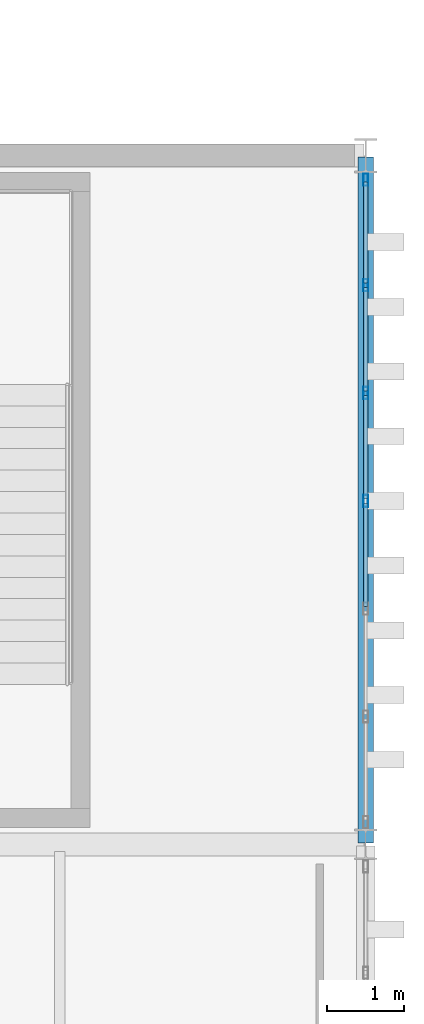
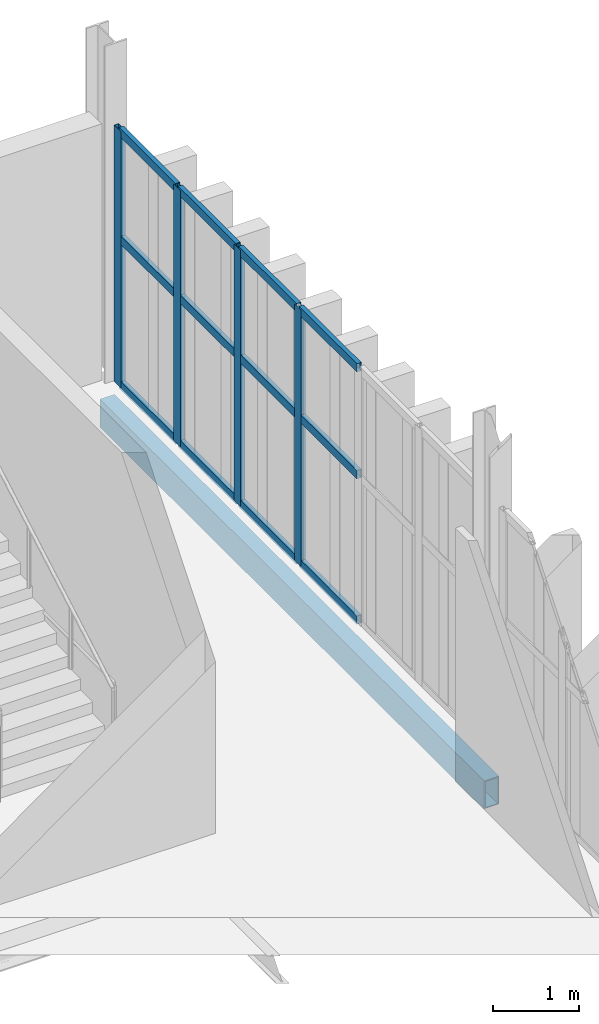
# One storey, part 155 of 196: 16 members, 1 beam, 1 element without a shape of its own.
"""IFC4 building model written with IfcOpenShell, lengths in metres."""

from ifc_helpers import new_model, si_unit, direction, frame, origin, origin_2d, place, context, subcontext, project, spatial, hollow_rectangle, extrude, material, layer, layer_set, material_profile, profile_set, type_object, element, aggregate, save


model = new_model("IFC4")

# Units and contexts
model_context = context("Model", 3, precision=1e-05, world=origin(), true_north=direction((0.0, 1.0)))
body_context = subcontext(model_context, "Body", "Model", "MODEL_VIEW")
ifc_project = project(units=[si_unit("LENGTHUNIT", "METRE"), si_unit("AREAUNIT", "SQUARE_METRE"), si_unit("VOLUMEUNIT", "CUBIC_METRE"), si_unit("PLANEANGLEUNIT", "RADIAN"), si_unit("MASSUNIT", "GRAM", prefix="KILO")], contexts=[model_context])

# Site, building, storey
site_placement = place(None, origin())
site = spatial("IfcSite", under=ifc_project, at=site_placement, CompositionType="ELEMENT")
building_placement = place(site_placement, origin())
building = spatial("IfcBuilding", under=site, at=building_placement, Name="Barlavento Convention Centre", CompositionType="ELEMENT")
storey_placement = place(building_placement, frame((0.0, 0.0, 18.0)))
storey = spatial("IfcBuildingStorey", under=building, at=storey_placement, Name="L03", CompositionType="ELEMENT", Elevation=18.0)

# Curtain wall, members
ifc_material_1 = material(Name="Powder-coated aluminium and Low-E glass", Category="aluminium")
ifc_layer = layer(ifc_material_1, 0.179931640625)
ifc_layer_set = layer_set([ifc_layer], Name="ARC-CW-CONF-L03")
curtain_wall_type = type_object("IfcCurtainWallType", Name="ARC-CW-CONF-L03", PredefinedType="NOTDEFINED", material=ifc_layer_set)
curtain_wall_placement = place(storey_placement, origin())
curtain_wall = element("IfcCurtainWall", 1, at=curtain_wall_placement, inside=storey, type_object=curtain_wall_type, Name="L03 unitised curtain wall CW08", PredefinedType="NOTDEFINED")
ifc_material_2 = material(Name="Powder-coated aluminium", Category="aluminium")
ifc_material_profile_1 = material_profile(ifc_material_2, hollow_rectangle(XDim=0.06005859375, YDim=0.159912109375, WallThickness=0.00390625, at=origin_2d()), Name="AL-MULL 60x160x4")
ifc_profile_set_1 = profile_set([ifc_material_profile_1], Name="Powder-coated aluminium")
member_type_1 = type_object("IfcMemberType", Name="ARC-CWM-60X160", PredefinedType="MULLION", material=ifc_profile_set_1)
member_1_placement = place(storey_placement, frame((192.0, 94.487548828125, 0.0), z_axis=(0.0, 0.0, 1.0), x_axis=(-1.0, 0.0, 0.0)))
member_1 = element("IfcMember", 2, at=member_1_placement, type_object=member_type_1, Name="CW08 mullion 4", PredefinedType="MULLION", context=body_context, shape_type="SweptSolid", body=[
    extrude(hollow_rectangle(XDim=0.06005859375, YDim=0.159912109375, WallThickness=0.00390625, at=origin_2d()), origin(), (0.0, 0.0, 1.0), 3.64990234375),
])
member_2_placement = place(storey_placement, frame((192.0, 95.896728515625, 0.0), z_axis=(0.0, 0.0, 1.0), x_axis=(-1.0, 0.0, 0.0)))
member_2 = element("IfcMember", 3, at=member_2_placement, type_object=member_type_1, Name="CW08 mullion 5", PredefinedType="MULLION", context=body_context, shape_type="SweptSolid", body=[
    extrude(hollow_rectangle(XDim=0.06005859375, YDim=0.159912109375, WallThickness=0.00390625, at=origin_2d()), origin(), (0.0, 0.0, 1.0), 3.64990234375),
])
member_3_placement = place(storey_placement, frame((192.0, 97.305908203125, 0.0), z_axis=(0.0, 0.0, 1.0), x_axis=(-1.0, 0.0, 0.0)))
member_3 = element("IfcMember", 4, at=member_3_placement, type_object=member_type_1, Name="CW08 mullion 6", PredefinedType="MULLION", context=body_context, shape_type="SweptSolid", body=[
    extrude(hollow_rectangle(XDim=0.06005859375, YDim=0.159912109375, WallThickness=0.00390625, at=origin_2d()), origin(), (0.0, 0.0, 1.0), 3.64990234375),
])
member_4_placement = place(storey_placement, frame((192.0, 98.68505859375, 0.0), z_axis=(0.0, 0.0, 1.0), x_axis=(-1.0, 0.0, 0.0)))
member_4 = element("IfcMember", 5, at=member_4_placement, type_object=member_type_1, Name="CW08 mullion 7", PredefinedType="MULLION", context=body_context, shape_type="SweptSolid", body=[
    extrude(hollow_rectangle(XDim=0.06005859375, YDim=0.159912109375, WallThickness=0.00390625, at=origin_2d()), origin(), (0.0, 0.0, 1.0), 3.64990234375),
])
ifc_material_profile_2 = material_profile(ifc_material_2, hollow_rectangle(XDim=0.06005859375, YDim=0.1201171875, WallThickness=0.00390625, at=origin_2d()), Name="AL-TRAN 60x120x4")
ifc_profile_set_2 = profile_set([ifc_material_profile_2], Name="Powder-coated aluminium")
member_type_2 = type_object("IfcMemberType", Name="ARC-CWT-60X120", PredefinedType="USERDEFINED", material=ifc_profile_set_2)
member_5_placement = place(storey_placement, frame((192.0, 93.1083984375, 0.030029296875), z_axis=(0.0, 1.0, 0.0), x_axis=(-1.0, 0.0, 0.0)))
member_5 = element("IfcMember", 6, at=member_5_placement, type_object=member_type_2, Name="CW08 transom 3.1", ObjectType="TRANSOM", PredefinedType="USERDEFINED", context=body_context, shape_type="SweptSolid", body=[
    extrude(hollow_rectangle(XDim=0.06005859375, YDim=0.1201171875, WallThickness=0.00390625, at=origin_2d()), origin(), (0.0, 0.0, 1.0), 1.34912109375),
])
member_6_placement = place(storey_placement, frame((192.0, 93.1083984375, 2.10009765625), z_axis=(0.0, 1.0, 0.0), x_axis=(-1.0, 0.0, 0.0)))
member_6 = element("IfcMember", 7, at=member_6_placement, type_object=member_type_2, Name="CW08 transom 3.2", ObjectType="TRANSOM", PredefinedType="USERDEFINED", context=body_context, shape_type="SweptSolid", body=[
    extrude(hollow_rectangle(XDim=0.06005859375, YDim=0.1201171875, WallThickness=0.00390625, at=origin_2d()), origin(), (0.0, 0.0, 1.0), 1.34912109375),
])
member_7_placement = place(storey_placement, frame((192.0, 93.1083984375, 3.6201171875), z_axis=(0.0, 1.0, 0.0), x_axis=(-1.0, 0.0, 0.0)))
member_7 = element("IfcMember", 8, at=member_7_placement, type_object=member_type_2, Name="CW08 transom 3.3", ObjectType="TRANSOM", PredefinedType="USERDEFINED", context=body_context, shape_type="SweptSolid", body=[
    extrude(hollow_rectangle(XDim=0.06005859375, YDim=0.1201171875, WallThickness=0.00390625, at=origin_2d()), origin(), (0.0, 0.0, 1.0), 1.34912109375),
])
member_8_placement = place(storey_placement, frame((192.0, 94.517578125, 0.030029296875), z_axis=(0.0, 1.0, 0.0), x_axis=(-1.0, 0.0, 0.0)))
member_8 = element("IfcMember", 9, at=member_8_placement, type_object=member_type_2, Name="CW08 transom 4.1", ObjectType="TRANSOM", PredefinedType="USERDEFINED", context=body_context, shape_type="SweptSolid", body=[
    extrude(hollow_rectangle(XDim=0.06005859375, YDim=0.1201171875, WallThickness=0.00390625, at=origin_2d()), origin(), (0.0, 0.0, 1.0), 1.34912109375),
])
member_9_placement = place(storey_placement, frame((192.0, 94.517578125, 2.10009765625), z_axis=(0.0, 1.0, 0.0), x_axis=(-1.0, 0.0, 0.0)))
member_9 = element("IfcMember", 10, at=member_9_placement, type_object=member_type_2, Name="CW08 transom 4.2", ObjectType="TRANSOM", PredefinedType="USERDEFINED", context=body_context, shape_type="SweptSolid", body=[
    extrude(hollow_rectangle(XDim=0.06005859375, YDim=0.1201171875, WallThickness=0.00390625, at=origin_2d()), origin(), (0.0, 0.0, 1.0), 1.34912109375),
])
member_10_placement = place(storey_placement, frame((192.0, 94.517578125, 3.6201171875), z_axis=(0.0, 1.0, 0.0), x_axis=(-1.0, 0.0, 0.0)))
member_10 = element("IfcMember", 11, at=member_10_placement, type_object=member_type_2, Name="CW08 transom 4.3", ObjectType="TRANSOM", PredefinedType="USERDEFINED", context=body_context, shape_type="SweptSolid", body=[
    extrude(hollow_rectangle(XDim=0.06005859375, YDim=0.1201171875, WallThickness=0.00390625, at=origin_2d()), origin(), (0.0, 0.0, 1.0), 1.34912109375),
])
member_11_placement = place(storey_placement, frame((192.0, 95.9267578125, 0.030029296875), z_axis=(0.0, 1.0, 0.0), x_axis=(-1.0, 0.0, 0.0)))
member_11 = element("IfcMember", 12, at=member_11_placement, type_object=member_type_2, Name="CW08 transom 5.1", ObjectType="TRANSOM", PredefinedType="USERDEFINED", context=body_context, shape_type="SweptSolid", body=[
    extrude(hollow_rectangle(XDim=0.06005859375, YDim=0.1201171875, WallThickness=0.00390625, at=origin_2d()), origin(), (0.0, 0.0, 1.0), 1.34912109375),
])
member_12_placement = place(storey_placement, frame((192.0, 95.9267578125, 2.10009765625), z_axis=(0.0, 1.0, 0.0), x_axis=(-1.0, 0.0, 0.0)))
member_12 = element("IfcMember", 13, at=member_12_placement, type_object=member_type_2, Name="CW08 transom 5.2", ObjectType="TRANSOM", PredefinedType="USERDEFINED", context=body_context, shape_type="SweptSolid", body=[
    extrude(hollow_rectangle(XDim=0.06005859375, YDim=0.1201171875, WallThickness=0.00390625, at=origin_2d()), origin(), (0.0, 0.0, 1.0), 1.34912109375),
])
member_13_placement = place(storey_placement, frame((192.0, 95.9267578125, 3.6201171875), z_axis=(0.0, 1.0, 0.0), x_axis=(-1.0, 0.0, 0.0)))
member_13 = element("IfcMember", 14, at=member_13_placement, type_object=member_type_2, Name="CW08 transom 5.3", ObjectType="TRANSOM", PredefinedType="USERDEFINED", context=body_context, shape_type="SweptSolid", body=[
    extrude(hollow_rectangle(XDim=0.06005859375, YDim=0.1201171875, WallThickness=0.00390625, at=origin_2d()), origin(), (0.0, 0.0, 1.0), 1.34912109375),
])
member_14_placement = place(storey_placement, frame((192.0, 97.3359375, 0.030029296875), z_axis=(0.0, 1.0, 0.0), x_axis=(-1.0, 0.0, 0.0)))
member_14 = element("IfcMember", 15, at=member_14_placement, type_object=member_type_2, Name="CW08 transom 6.1", ObjectType="TRANSOM", PredefinedType="USERDEFINED", context=body_context, shape_type="SweptSolid", body=[
    extrude(hollow_rectangle(XDim=0.06005859375, YDim=0.1201171875, WallThickness=0.00390625, at=origin_2d()), origin(), (0.0, 0.0, 1.0), 1.319091796875),
])
member_15_placement = place(storey_placement, frame((192.0, 97.3359375, 2.10009765625), z_axis=(0.0, 1.0, 0.0), x_axis=(-1.0, 0.0, 0.0)))
member_15 = element("IfcMember", 16, at=member_15_placement, type_object=member_type_2, Name="CW08 transom 6.2", ObjectType="TRANSOM", PredefinedType="USERDEFINED", context=body_context, shape_type="SweptSolid", body=[
    extrude(hollow_rectangle(XDim=0.06005859375, YDim=0.1201171875, WallThickness=0.00390625, at=origin_2d()), origin(), (0.0, 0.0, 1.0), 1.319091796875),
])
member_16_placement = place(storey_placement, frame((192.0, 97.3359375, 3.6201171875), z_axis=(0.0, 1.0, 0.0), x_axis=(-1.0, 0.0, 0.0)))
member_16 = element("IfcMember", 17, at=member_16_placement, type_object=member_type_2, Name="CW08 transom 6.3", ObjectType="TRANSOM", PredefinedType="USERDEFINED", context=body_context, shape_type="SweptSolid", body=[
    extrude(hollow_rectangle(XDim=0.06005859375, YDim=0.1201171875, WallThickness=0.00390625, at=origin_2d()), origin(), (0.0, 0.0, 1.0), 1.319091796875),
])
aggregate(curtain_wall, [member_1, member_2, member_3, member_4, member_5, member_6, member_7, member_8, member_9, member_10, member_11, member_12, member_13, member_14, member_15, member_16])

# Beam
ifc_material_3 = material(Name="Steel S355", Category="steel")
ifc_material_profile_3 = material_profile(ifc_material_3, hollow_rectangle(XDim=0.199951171875, YDim=0.39990234375, WallThickness=0.01611328125, at=origin_2d()), Name="RHS 400x200x16.0")
ifc_profile_set_3 = profile_set([ifc_material_profile_3], Name="Steel S355")
beam_type = type_object("IfcBeamType", Name="STR-BM-SPN-RHS400", PredefinedType="SPANDREL", material=ifc_profile_set_3)
beam_placement = place(storey_placement, frame((192.0, 90.02001953125, -0.56005859375), z_axis=(0.0, 1.0, 0.0), x_axis=(-1.0, 0.0, 0.0)))
element("IfcBeam", 18, at=beam_placement, inside=storey, type_object=beam_type, Name="L03 grid girder SP06", PredefinedType="SPANDREL", context=body_context, shape_type="SweptSolid", body=[
    extrude(hollow_rectangle(XDim=0.199951171875, YDim=0.39990234375, WallThickness=0.01611328125, at=origin_2d()), origin(), (0.0, 0.0, 1.0), 8.9599609375),
])

save(model, "model.ifc")
